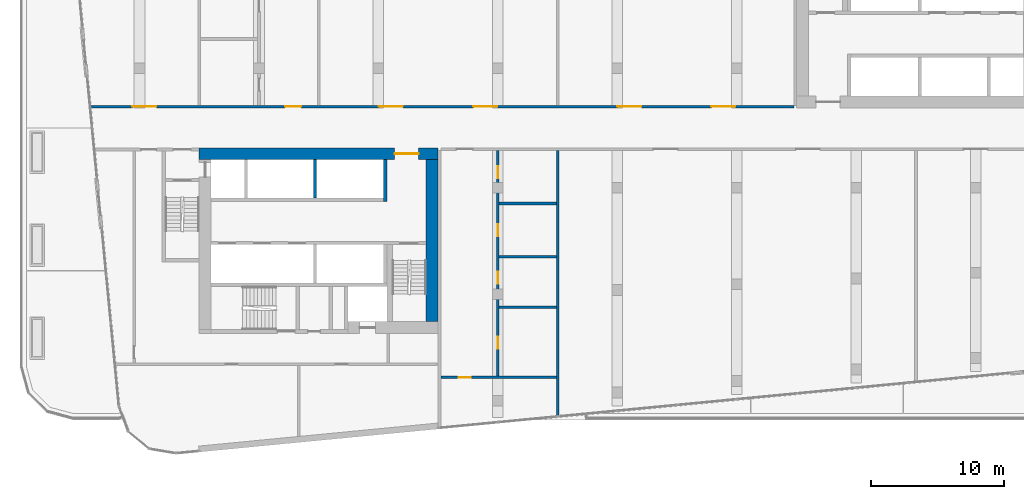
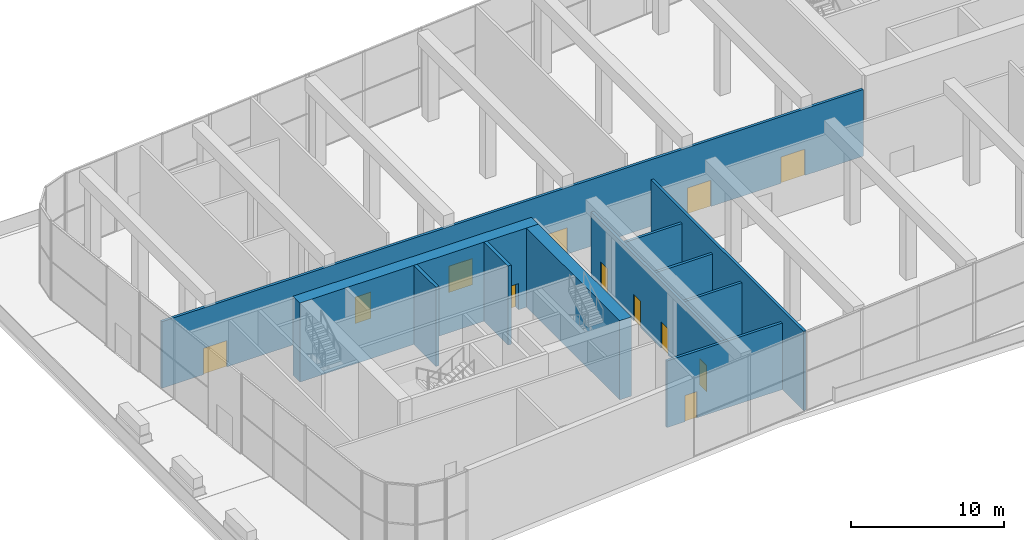
# One storey, part 13 of 25: 12 doors, 11 walls, 12 openings.
"""IFC4 building model written with IfcOpenShell, lengths in metres."""

from ifc_helpers import new_model, si_unit, direction, frame, frame_2d, origin, place, context, subcontext, project, spatial, rectangle, extrude, material, layer, layer_set, type_object, element, fill, save


model = new_model("IFC4")

# Units and contexts
model_context = context("Model", 3, precision=1e-05, world=origin(), true_north=direction((0.0, 1.0)))
body_context = subcontext(model_context, "Body", "Model", "MODEL_VIEW")
ifc_project = project(units=[si_unit("LENGTHUNIT", "METRE"), si_unit("AREAUNIT", "SQUARE_METRE"), si_unit("VOLUMEUNIT", "CUBIC_METRE"), si_unit("PLANEANGLEUNIT", "RADIAN"), si_unit("MASSUNIT", "GRAM", prefix="KILO")], contexts=[model_context])

# Site, building, storey
site_placement = place(None, origin())
site = spatial("IfcSite", under=ifc_project, at=site_placement, CompositionType="ELEMENT")
building_placement = place(site_placement, origin())
building = spatial("IfcBuilding", under=site, at=building_placement, Name="Kajstack Hotel Tower", CompositionType="ELEMENT")
storey_placement = place(building_placement, frame((0.0, 0.0, 104.199951171875)))
storey = spatial("IfcBuildingStorey", under=building, at=storey_placement, Name="L22", CompositionType="ELEMENT", Elevation=104.199951171875)

# Wall, opening, door
ifc_material_1 = material(Name="Concrete C60/75", Category="concrete")
ifc_layer_1 = layer(ifc_material_1, 0.89990234375)
ifc_layer_set_1 = layer_set([ifc_layer_1], Name="Core wall 900")
wall_type_1 = type_object("IfcWallType", Name="Core wall 900", PredefinedType="SHEAR", material=ifc_layer_set_1)
wall_1_placement = place(storey_placement, frame((-31.5, -1.949951171875, 0.0), z_axis=(0.0, 0.0, 1.0), x_axis=(1.0, 0.0, 0.0)))
wall_1 = element("IfcWall", 1, at=wall_1_placement, inside=storey, type_object=wall_type_1, Name="Core wall W RN", PredefinedType="SHEAR", context=body_context, shape_type="SweptSolid", body=[
    extrude(rectangle(XDim=18.0, YDim=0.89990234375, at=frame_2d((9.0, 0.0))), origin(), (0.0, 0.0, 1.0), 6.320068359375),
])
opening_1_placement = place(wall_1_placement, frame((14.72509765625, 0.0, 0.0)))
opening_1 = element("IfcOpeningElement", 2, at=opening_1_placement, cuts=wall_1, Name="Opening 22W06", PredefinedType="OPENING", context=body_context, shape_type="SweptSolid", body=[
    extrude(rectangle(XDim=1.800048828125, YDim=2.10009765625, at=frame_2d((0.89990234375, 1.050048828125))), frame((0.0, 0.4599609375, 0.0), z_axis=(0.0, -1.0, 0.0), x_axis=(1.0, 0.0, 0.0)), (0.0, 0.0, 1.0), 0.919921875),
])
ifc_material_2 = material(Name="Glazed steel frame, fire-rated glass", Category="steel")
door_type_1 = type_object("IfcDoorType", Name="Lobby double door 1800", OperationType="DOUBLE_DOOR_DOUBLE_SWING", PredefinedType="DOOR", material=ifc_material_2)
door_1_placement = place(opening_1_placement, origin())
door_1 = element("IfcDoor", 3, at=door_1_placement, inside=storey, type_object=door_type_1, Name="Door 22W06", OperationType="DOUBLE_DOOR_DOUBLE_SWING", OverallHeight=2.10009765625, OverallWidth=1.800048828125, PredefinedType="DOOR", context=body_context, shape_type="SweptSolid", body=[
    extrude(rectangle(XDim=1.800048828125, YDim=2.10009765625, at=frame_2d((0.89990234375, 1.050048828125))), frame((0.0, 0.02490234375, 0.0), z_axis=(0.0, -1.0, 0.0), x_axis=(1.0, 0.0, 0.0)), (0.0, 0.0, 1.0), 0.050048828125),
])
fill(opening_1, door_1)

# Walls
wall_2_placement = place(storey_placement, frame((-13.949951171875, -14.60009765625, 0.0), z_axis=(0.0, 0.0, 1.0), x_axis=(0.0, 1.0, 0.0)))
element("IfcWall", 4, at=wall_2_placement, inside=storey, type_object=wall_type_1, Name="Core wall W RE", PredefinedType="SHEAR", context=body_context, shape_type="SweptSolid", body=[
    extrude(rectangle(XDim=12.2001953125, YDim=0.89990234375, at=frame_2d((6.10009765625, 0.0))), origin(), (0.0, 0.0, 1.0), 6.320068359375),
])
ifc_material_3 = material(Name="Concrete C50/60", Category="concrete")
ifc_layer_2 = layer(ifc_material_3, 0.300048828125)
ifc_layer_set_2 = layer_set([ifc_layer_2], Name="Hoistway divider wall 300")
wall_type_2 = type_object("IfcWallType", Name="Hoistway divider wall 300", PredefinedType="SHEAR", material=ifc_layer_set_2)
wall_3_placement = place(storey_placement, frame((-22.77490234375, -5.300048828125, 0.0), z_axis=(0.0, 0.0, 1.0), x_axis=(0.0, 1.0, 0.0)))
element("IfcWall", 5, at=wall_3_placement, inside=storey, type_object=wall_type_2, Name="Core wall W AP2", PredefinedType="SHEAR", context=body_context, shape_type="SweptSolid", body=[
    extrude(rectangle(XDim=2.900146484375, YDim=0.25, at=frame_2d((1.4501953125, 0.0))), origin(), (0.0, 0.0, 1.0), 6.320068359375),
])

# Wall, openings, doors
ifc_material_4 = material(Name="Gypsum board on steel studs, mineral wool", Category="steel")
ifc_layer_3 = layer(ifc_material_4, 0.199951171875)
ifc_layer_set_3 = layer_set([ifc_layer_3], Name="Public partition 200")
wall_type_3 = type_object("IfcWallType", Name="Public partition 200", PredefinedType="PARTITIONING", material=ifc_layer_set_3)
wall_4_placement = place(storey_placement, frame((-39.646728515625, 1.60009765625, 0.0), z_axis=(0.0, 0.0, 1.0), x_axis=(1.0, 0.0, 0.0)))
wall_4 = element("IfcWall", 6, at=wall_4_placement, inside=storey, type_object=wall_type_3, Name="Partition FW", PredefinedType="PARTITIONING", context=body_context, shape_type="SweptSolid", body=[
    extrude(rectangle(XDim=52.94677734375, YDim=0.199951171875, at=frame_2d((26.473388671875, 0.0))), origin(), (0.0, 0.0, 1.0), 5.320068359375),
])
opening_2_placement = place(wall_4_placement, frame((46.73681640625, 0.0, 0.0)))
opening_2 = element("IfcOpeningElement", 7, at=opening_2_placement, cuts=wall_4, Name="Opening 22P01", PredefinedType="OPENING", context=body_context, shape_type="SweptSolid", body=[
    extrude(rectangle(XDim=1.800048828125, YDim=2.10009765625, at=frame_2d((0.89990234375, 1.050048828125))), frame((0.0, 0.10986328125, 0.0), z_axis=(0.0, -1.0, 0.0), x_axis=(1.0, 0.0, 0.0)), (0.0, 0.0, 1.0), 0.219970703125),
])
opening_3_placement = place(wall_4_placement, frame((39.65673828125, 0.0, 0.0)))
opening_3 = element("IfcOpeningElement", 8, at=opening_3_placement, cuts=wall_4, Name="Opening 22P02", PredefinedType="OPENING", context=body_context, shape_type="SweptSolid", body=[
    extrude(rectangle(XDim=1.800048828125, YDim=2.10009765625, at=frame_2d((0.89990234375, 1.050048828125))), frame((0.0, 0.10986328125, 0.0), z_axis=(0.0, -1.0, 0.0), x_axis=(1.0, 0.0, 0.0)), (0.0, 0.0, 1.0), 0.219970703125),
])
opening_4_placement = place(wall_4_placement, frame((28.806884765625, 0.0, 0.0)))
opening_4 = element("IfcOpeningElement", 9, at=opening_4_placement, cuts=wall_4, Name="Opening 22P03", PredefinedType="OPENING", context=body_context, shape_type="SweptSolid", body=[
    extrude(rectangle(XDim=1.800048828125, YDim=2.10009765625, at=frame_2d((0.89990234375, 1.050048828125))), frame((0.0, 0.10986328125, 0.0), z_axis=(0.0, -1.0, 0.0), x_axis=(1.0, 0.0, 0.0)), (0.0, 0.0, 1.0), 0.219970703125),
])
opening_5_placement = place(wall_4_placement, frame((21.686767578125, 0.0, 0.0)))
opening_5 = element("IfcOpeningElement", 10, at=opening_5_placement, cuts=wall_4, Name="Opening 22P04", PredefinedType="OPENING", context=body_context, shape_type="SweptSolid", body=[
    extrude(rectangle(XDim=1.800048828125, YDim=2.10009765625, at=frame_2d((0.89990234375, 1.050048828125))), frame((0.0, 0.10986328125, 0.0), z_axis=(0.0, -1.0, 0.0), x_axis=(1.0, 0.0, 0.0)), (0.0, 0.0, 1.0), 0.219970703125),
])
opening_6_placement = place(wall_4_placement, frame((14.621826171875, 0.0, 0.0)))
opening_6 = element("IfcOpeningElement", 11, at=opening_6_placement, cuts=wall_4, Name="Opening 22P05", PredefinedType="OPENING", context=body_context, shape_type="SweptSolid", body=[
    extrude(rectangle(XDim=1.199951171875, YDim=2.10009765625, at=frame_2d((0.60009765625, 1.050048828125))), frame((0.0, 0.10986328125, 0.0), z_axis=(0.0, -1.0, 0.0), x_axis=(1.0, 0.0, 0.0)), (0.0, 0.0, 1.0), 0.219970703125),
])
opening_7_placement = place(wall_4_placement, frame((3.11083984375, 0.0, 0.0)))
opening_7 = element("IfcOpeningElement", 12, at=opening_7_placement, cuts=wall_4, Name="Opening 22P10", PredefinedType="OPENING", context=body_context, shape_type="SweptSolid", body=[
    extrude(rectangle(XDim=1.800048828125, YDim=2.10009765625, at=frame_2d((0.89990234375, 1.050048828125))), frame((0.0, 0.10986328125, 0.0), z_axis=(0.0, -1.0, 0.0), x_axis=(1.0, 0.0, 0.0)), (0.0, 0.0, 1.0), 0.219970703125),
])
ifc_material_5 = material(Name="Timber leaf, fire-rated", Category="wood")
door_type_2 = type_object("IfcDoorType", Name="Public corridor door 1200", OperationType="SINGLE_SWING_LEFT", PredefinedType="DOOR", material=ifc_material_5)
door_2_placement = place(opening_6_placement, origin())
door_2 = element("IfcDoor", 13, at=door_2_placement, inside=storey, type_object=door_type_2, Name="Door 22P05", OperationType="SINGLE_SWING_LEFT", OverallHeight=2.10009765625, OverallWidth=1.199951171875, PredefinedType="DOOR", context=body_context, shape_type="SweptSolid", body=[
    extrude(rectangle(XDim=1.199951171875, YDim=2.10009765625, at=frame_2d((0.60009765625, 1.050048828125))), frame((0.0, 0.02490234375, 0.0), z_axis=(0.0, -1.0, 0.0), x_axis=(1.0, 0.0, 0.0)), (0.0, 0.0, 1.0), 0.050048828125),
])
fill(opening_6, door_2)
ifc_material_6 = material(Name="Glazed timber frame, fire-rated glass", Category="wood")
door_type_3 = type_object("IfcDoorType", Name="Public double door 1800", OperationType="DOUBLE_DOOR_DOUBLE_SWING", PredefinedType="DOOR", material=ifc_material_6)
door_3_placement = place(opening_2_placement, origin())
door_3 = element("IfcDoor", 14, at=door_3_placement, inside=storey, type_object=door_type_3, Name="Door 22P01", OperationType="DOUBLE_DOOR_DOUBLE_SWING", OverallHeight=2.10009765625, OverallWidth=1.800048828125, PredefinedType="DOOR", context=body_context, shape_type="SweptSolid", body=[
    extrude(rectangle(XDim=1.800048828125, YDim=2.10009765625, at=frame_2d((0.89990234375, 1.050048828125))), frame((0.0, 0.02490234375, 0.0), z_axis=(0.0, -1.0, 0.0), x_axis=(1.0, 0.0, 0.0)), (0.0, 0.0, 1.0), 0.050048828125),
])
fill(opening_2, door_3)
door_4_placement = place(opening_3_placement, origin())
door_4 = element("IfcDoor", 15, at=door_4_placement, inside=storey, type_object=door_type_3, Name="Door 22P02", OperationType="DOUBLE_DOOR_DOUBLE_SWING", OverallHeight=2.10009765625, OverallWidth=1.800048828125, PredefinedType="DOOR", context=body_context, shape_type="SweptSolid", body=[
    extrude(rectangle(XDim=1.800048828125, YDim=2.10009765625, at=frame_2d((0.89990234375, 1.050048828125))), frame((0.0, 0.02490234375, 0.0), z_axis=(0.0, -1.0, 0.0), x_axis=(1.0, 0.0, 0.0)), (0.0, 0.0, 1.0), 0.050048828125),
])
fill(opening_3, door_4)
door_5_placement = place(opening_4_placement, origin())
door_5 = element("IfcDoor", 16, at=door_5_placement, inside=storey, type_object=door_type_3, Name="Door 22P03", OperationType="DOUBLE_DOOR_DOUBLE_SWING", OverallHeight=2.10009765625, OverallWidth=1.800048828125, PredefinedType="DOOR", context=body_context, shape_type="SweptSolid", body=[
    extrude(rectangle(XDim=1.800048828125, YDim=2.10009765625, at=frame_2d((0.89990234375, 1.050048828125))), frame((0.0, 0.02490234375, 0.0), z_axis=(0.0, -1.0, 0.0), x_axis=(1.0, 0.0, 0.0)), (0.0, 0.0, 1.0), 0.050048828125),
])
fill(opening_4, door_5)
door_6_placement = place(opening_5_placement, origin())
door_6 = element("IfcDoor", 17, at=door_6_placement, inside=storey, type_object=door_type_3, Name="Door 22P04", OperationType="DOUBLE_DOOR_DOUBLE_SWING", OverallHeight=2.10009765625, OverallWidth=1.800048828125, PredefinedType="DOOR", context=body_context, shape_type="SweptSolid", body=[
    extrude(rectangle(XDim=1.800048828125, YDim=2.10009765625, at=frame_2d((0.89990234375, 1.050048828125))), frame((0.0, 0.02490234375, 0.0), z_axis=(0.0, -1.0, 0.0), x_axis=(1.0, 0.0, 0.0)), (0.0, 0.0, 1.0), 0.050048828125),
])
fill(opening_5, door_6)
door_7_placement = place(opening_7_placement, origin())
door_7 = element("IfcDoor", 18, at=door_7_placement, inside=storey, type_object=door_type_3, Name="Door 22P10", OperationType="DOUBLE_DOOR_DOUBLE_SWING", OverallHeight=2.10009765625, OverallWidth=1.800048828125, PredefinedType="DOOR", context=body_context, shape_type="SweptSolid", body=[
    extrude(rectangle(XDim=1.800048828125, YDim=2.10009765625, at=frame_2d((0.89990234375, 1.050048828125))), frame((0.0, 0.02490234375, 0.0), z_axis=(0.0, -1.0, 0.0), x_axis=(1.0, 0.0, 0.0)), (0.0, 0.0, 1.0), 0.050048828125),
])
fill(opening_7, door_7)

wall_5_placement = place(storey_placement, frame((-9.0, -18.6943359375, 0.0), z_axis=(0.0, 0.0, 1.0), x_axis=(0.0, 1.0, 0.0)))
wall_5 = element("IfcWall", 19, at=wall_5_placement, inside=storey, type_object=wall_type_3, Name="Partition SC0CW", PredefinedType="PARTITIONING", context=body_context, shape_type="SweptSolid", body=[
    extrude(rectangle(XDim=16.994384765625, YDim=0.199951171875, at=frame_2d((8.4970703125, 0.0))), origin(), (0.0, 0.0, 1.0), 5.320068359375),
])
opening_8_placement = place(wall_5_placement, frame((14.894287109375, 0.0, 0.0)))
opening_8 = element("IfcOpeningElement", 20, at=opening_8_placement, cuts=wall_5, Name="Opening 22P12", PredefinedType="OPENING", context=body_context, shape_type="SweptSolid", body=[
    extrude(rectangle(XDim=0.89990234375, YDim=2.10009765625, at=frame_2d((0.449951171875, 1.050048828125))), frame((0.0, 0.10986328125, 0.0), z_axis=(0.0, -1.0, 0.0), x_axis=(1.0, 0.0, 0.0)), (0.0, 0.0, 1.0), 0.219970703125),
])
opening_9_placement = place(wall_5_placement, frame((10.544189453125, 0.0, 0.0)))
opening_9 = element("IfcOpeningElement", 21, at=opening_9_placement, cuts=wall_5, Name="Opening 22P13", PredefinedType="OPENING", context=body_context, shape_type="SweptSolid", body=[
    extrude(rectangle(XDim=0.89990234375, YDim=2.10009765625, at=frame_2d((0.449951171875, 1.050048828125))), frame((0.0, 0.10986328125, 0.0), z_axis=(0.0, -1.0, 0.0), x_axis=(1.0, 0.0, 0.0)), (0.0, 0.0, 1.0), 0.219970703125),
])
opening_10_placement = place(wall_5_placement, frame((6.9443359375, 0.0, 0.0)))
opening_10 = element("IfcOpeningElement", 22, at=opening_10_placement, cuts=wall_5, Name="Opening 22P14", PredefinedType="OPENING", context=body_context, shape_type="SweptSolid", body=[
    extrude(rectangle(XDim=0.89990234375, YDim=2.10009765625, at=frame_2d((0.449951171875, 1.050048828125))), frame((0.0, 0.10986328125, 0.0), z_axis=(0.0, -1.0, 0.0), x_axis=(1.0, 0.0, 0.0)), (0.0, 0.0, 1.0), 0.219970703125),
])
opening_11_placement = place(wall_5_placement, frame((2.04736328125, 0.0, 0.0)))
opening_11 = element("IfcOpeningElement", 23, at=opening_11_placement, cuts=wall_5, Name="Opening 22P15", PredefinedType="OPENING", context=body_context, shape_type="SweptSolid", body=[
    extrude(rectangle(XDim=0.89990234375, YDim=2.10009765625, at=frame_2d((0.449951171875, 1.050048828125))), frame((0.0, 0.10986328125, 0.0), z_axis=(0.0, -1.0, 0.0), x_axis=(1.0, 0.0, 0.0)), (0.0, 0.0, 1.0), 0.219970703125),
])
ifc_material_7 = material(Name="Timber leaf", Category="wood")
door_type_4 = type_object("IfcDoorType", Name="Public room door 900", OperationType="SINGLE_SWING_LEFT", PredefinedType="DOOR", material=ifc_material_7)
door_8_placement = place(opening_8_placement, origin())
door_8 = element("IfcDoor", 24, at=door_8_placement, inside=storey, type_object=door_type_4, Name="Door 22P12", OperationType="SINGLE_SWING_RIGHT", OverallHeight=2.10009765625, OverallWidth=0.89990234375, PredefinedType="DOOR", context=body_context, shape_type="SweptSolid", body=[
    extrude(rectangle(XDim=0.89990234375, YDim=2.10009765625, at=frame_2d((0.449951171875, 1.050048828125))), frame((0.0, 0.02490234375, 0.0), z_axis=(0.0, -1.0, 0.0), x_axis=(1.0, 0.0, 0.0)), (0.0, 0.0, 1.0), 0.050048828125),
])
fill(opening_8, door_8)
door_9_placement = place(opening_9_placement, origin())
door_9 = element("IfcDoor", 25, at=door_9_placement, inside=storey, type_object=door_type_4, Name="Door 22P13", OperationType="SINGLE_SWING_RIGHT", OverallHeight=2.10009765625, OverallWidth=0.89990234375, PredefinedType="DOOR", context=body_context, shape_type="SweptSolid", body=[
    extrude(rectangle(XDim=0.89990234375, YDim=2.10009765625, at=frame_2d((0.449951171875, 1.050048828125))), frame((0.0, 0.02490234375, 0.0), z_axis=(0.0, -1.0, 0.0), x_axis=(1.0, 0.0, 0.0)), (0.0, 0.0, 1.0), 0.050048828125),
])
fill(opening_9, door_9)
door_10_placement = place(opening_10_placement, origin())
door_10 = element("IfcDoor", 26, at=door_10_placement, inside=storey, type_object=door_type_4, Name="Door 22P14", OperationType="SINGLE_SWING_RIGHT", OverallHeight=2.10009765625, OverallWidth=0.89990234375, PredefinedType="DOOR", context=body_context, shape_type="SweptSolid", body=[
    extrude(rectangle(XDim=0.89990234375, YDim=2.10009765625, at=frame_2d((0.449951171875, 1.050048828125))), frame((0.0, 0.02490234375, 0.0), z_axis=(0.0, -1.0, 0.0), x_axis=(1.0, 0.0, 0.0)), (0.0, 0.0, 1.0), 0.050048828125),
])
fill(opening_10, door_10)
door_11_placement = place(opening_11_placement, origin())
door_11 = element("IfcDoor", 27, at=door_11_placement, inside=storey, type_object=door_type_4, Name="Door 22P15", OperationType="SINGLE_SWING_RIGHT", OverallHeight=2.10009765625, OverallWidth=0.89990234375, PredefinedType="DOOR", context=body_context, shape_type="SweptSolid", body=[
    extrude(rectangle(XDim=0.89990234375, YDim=2.10009765625, at=frame_2d((0.449951171875, 1.050048828125))), frame((0.0, 0.02490234375, 0.0), z_axis=(0.0, -1.0, 0.0), x_axis=(1.0, 0.0, 0.0)), (0.0, 0.0, 1.0), 0.050048828125),
])
fill(opening_11, door_11)

# Walls
for number, where, z_axis, x_axis, name in (
    (28, (-8.89990234375, -5.699951171875, 0.0), (0.0, 0.0, 1.0), (1.0, 0.0, 0.0), "Partition SC0wP0"),
    (29, (-8.89990234375, -9.699951171875, 0.0), (0.0, 0.0, 1.0), (1.0, 0.0, 0.0), "Partition SC0wP1"),
    (30, (-8.89990234375, -13.5, 0.0), (0.0, 0.0, 1.0), (1.0, 0.0, 0.0), "Partition SC0wP2"),
):
    element("IfcWall", number, at=place(storey_placement, frame(where, z_axis=z_axis, x_axis=x_axis)), inside=storey, type_object=wall_type_3, Name=name, PredefinedType="PARTITIONING", context=body_context, shape_type="SweptSolid", body=[
        extrude(rectangle(XDim=4.2998046875, YDim=0.199951171875, at=frame_2d((2.14990234375, 0.0))), origin(), (0.0, 0.0, 1.0), 5.320068359375),
    ])

# Wall, opening, door
wall_6_placement = place(storey_placement, frame((-13.300048828125, -18.794189453125, 0.0), z_axis=(0.0, 0.0, 1.0), x_axis=(1.0, 0.0, 0.0)))
wall_6 = element("IfcWall", 31, at=wall_6_placement, inside=storey, type_object=wall_type_3, Name="Partition SC0BW", PredefinedType="PARTITIONING", context=body_context, shape_type="SweptSolid", body=[
    extrude(rectangle(XDim=8.699951171875, YDim=0.199951171875, at=frame_2d((4.35009765625, 0.0))), origin(), (0.0, 0.0, 1.0), 5.320068359375),
])
opening_12_placement = place(wall_6_placement, frame((1.35009765625, 0.0, 0.0)))
opening_12 = element("IfcOpeningElement", 32, at=opening_12_placement, cuts=wall_6, Name="Opening 22P16", PredefinedType="OPENING", context=body_context, shape_type="SweptSolid", body=[
    extrude(rectangle(XDim=0.89990234375, YDim=2.10009765625, at=frame_2d((0.449951171875, 1.050048828125))), frame((0.0, 0.10986328125, 0.0), z_axis=(0.0, -1.0, 0.0), x_axis=(1.0, 0.0, 0.0)), (0.0, 0.0, 1.0), 0.219970703125),
])
door_12_placement = place(opening_12_placement, origin())
door_12 = element("IfcDoor", 33, at=door_12_placement, inside=storey, type_object=door_type_4, Name="Door 22P16", OperationType="SINGLE_SWING_RIGHT", OverallHeight=2.10009765625, OverallWidth=0.89990234375, PredefinedType="DOOR", context=body_context, shape_type="SweptSolid", body=[
    extrude(rectangle(XDim=0.89990234375, YDim=2.10009765625, at=frame_2d((0.449951171875, 1.050048828125))), frame((0.0, 0.02490234375, 0.0), z_axis=(0.0, -1.0, 0.0), x_axis=(1.0, 0.0, 0.0)), (0.0, 0.0, 1.0), 0.050048828125),
])
fill(opening_12, door_12)

# Walls
wall_7_placement = place(storey_placement, frame((-4.5, -21.667236328125, 0.0), z_axis=(0.0, 0.0, 1.0), x_axis=(0.0, 1.0, 0.0)))
element("IfcWall", 34, at=wall_7_placement, inside=storey, type_object=wall_type_3, Name="Partition SPX0", PredefinedType="PARTITIONING", context=body_context, shape_type="SweptSolid", body=[
    extrude(rectangle(XDim=19.96728515625, YDim=0.199951171875, at=frame_2d((9.983642578125, 0.0))), origin(), (0.0, 0.0, 1.0), 6.320068359375),
])
ifc_layer_4 = layer(ifc_material_3, 0.25)
ifc_layer_set_4 = layer_set([ifc_layer_4], Name="Shaft wall 250")
wall_type_4 = type_object("IfcWallType", Name="Shaft wall 250", PredefinedType="SHEAR", material=ifc_layer_set_4)
wall_8_placement = place(storey_placement, frame((-17.47509765625, -5.550048828125, 0.0), z_axis=(0.0, 0.0, 1.0), x_axis=(0.0, 1.0, 0.0)))
element("IfcWall", 35, at=wall_8_placement, inside=storey, type_object=wall_type_4, Name="Core wall W AE", PredefinedType="SHEAR", context=body_context, shape_type="SweptSolid", body=[
    extrude(rectangle(XDim=3.150146484375, YDim=0.25, at=frame_2d((1.5751953125, 0.0))), origin(), (0.0, 0.0, 1.0), 6.320068359375),
])

save(model, "model.ifc")
